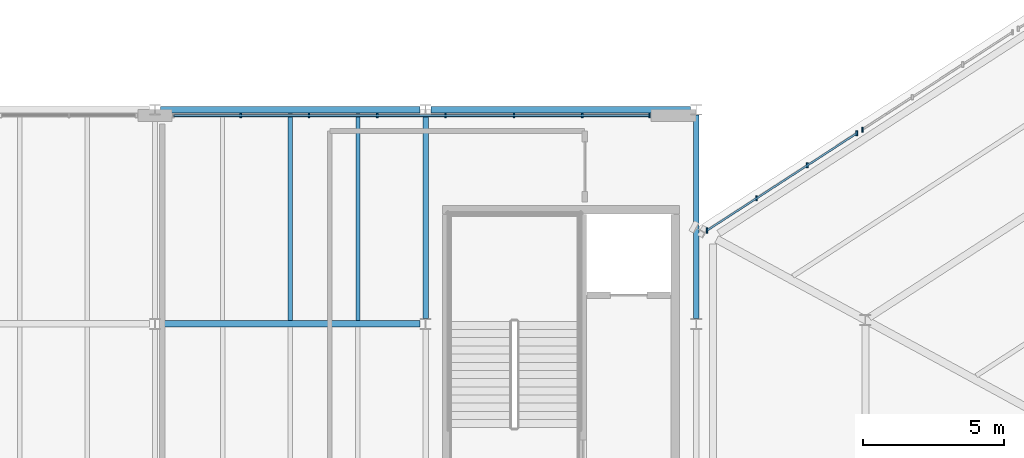
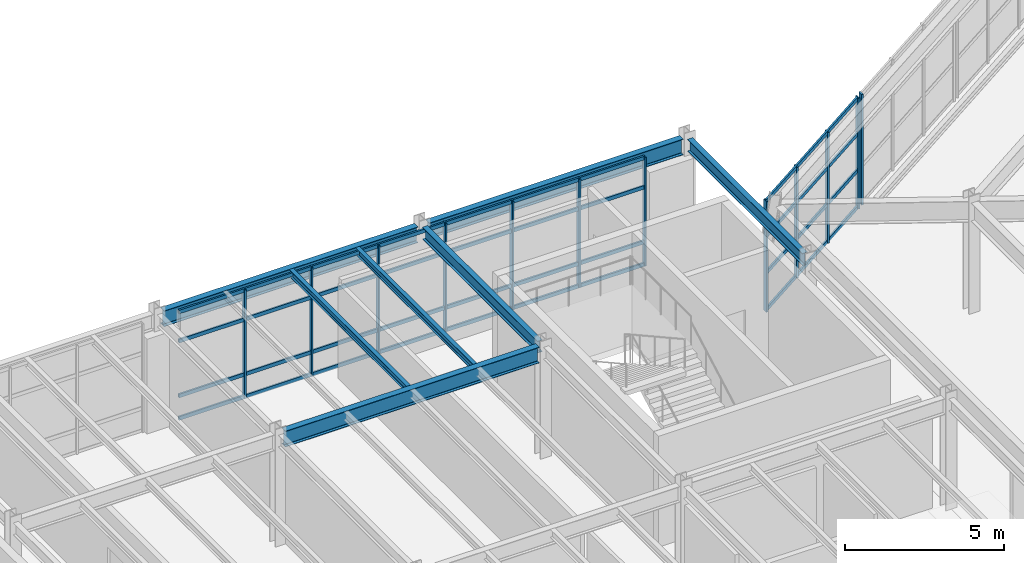
# One storey, part 38 of 77: 20 members, 7 beams, 3 elements without a shape of their own.
"""IFC4 building model written with IfcOpenShell, lengths in metres."""

from ifc_helpers import new_model, si_unit, direction, frame, origin, origin_2d, place, context, subcontext, project, spatial, rectangle, i_section, extrude, material, material_profile, profile_set, type_object, element, aggregate, save


model = new_model("IFC4")

# Units and contexts
model_context = context("Model", 3, precision=1e-05, world=origin(), true_north=direction((0.0, 1.0)))
body_context = subcontext(model_context, "Body", "Model", "MODEL_VIEW")
ifc_project = project(units=[si_unit("LENGTHUNIT", "METRE"), si_unit("AREAUNIT", "SQUARE_METRE"), si_unit("VOLUMEUNIT", "CUBIC_METRE"), si_unit("PLANEANGLEUNIT", "RADIAN"), si_unit("MASSUNIT", "GRAM", prefix="KILO")], contexts=[model_context])

# Site, building, storey
site_placement = place(None, origin())
site = spatial("IfcSite", under=ifc_project, at=site_placement, CompositionType="ELEMENT")
building_placement = place(site_placement, origin())
building = spatial("IfcBuilding", under=site, at=building_placement, Name="Sarnbrook Museum", CompositionType="ELEMENT")
storey_placement = place(building_placement, frame((0.0, 0.0, 5.60009765625)))
storey = spatial("IfcBuildingStorey", under=building, at=storey_placement, Name="L01", CompositionType="ELEMENT", Elevation=5.60009765625)

# Beams
ifc_material_1 = material(Name="Structural Steel Grade 300PLUS (AS/NZS 3679.1, fy = 280 MPa for 17 < t <= 40 mm, 300 MPa for t <= 17 mm)", Category="steel")
ifc_material_profile_1 = material_profile(ifc_material_1, i_section(OverallWidth=0.18994140625, OverallDepth=0.45703125, WebThickness=0.009033203125, FlangeThickness=0.014404296875, FilletRadius=0.011474609375, at=origin_2d()), Name="460UB74.6")
ifc_profile_set_1 = profile_set([ifc_material_profile_1], Name="Structural Steel Grade 300PLUS (AS/NZS 3679.1, fy = 280 MPa for 17 < t <= 40 mm, 300 MPa for t <= 17 mm)")
beam_type_1 = type_object("IfcBeamType", Name="BM-UB460", PredefinedType="BEAM", material=ifc_profile_set_1)
for number, where, z_axis, x_axis, name in (
    (1, (109.60009765625, 100.990966796875, 4.021484375), (0.0, 1.0, 0.0), (-1.0, 0.0, 0.0), "Girder 12:M-N L01"),
    (2, (119.199951171875, 100.990966796875, 4.021484375), (0.0, 1.0, 0.0), (-1.0, 0.0, 0.0), "Girder 13:M-N L01"),
):
    element("IfcBeam", number, at=place(storey_placement, frame(where, z_axis=z_axis, x_axis=x_axis)), inside=storey, type_object=beam_type_1, Name=name, PredefinedType="BEAM", context=body_context, shape_type="SweptSolid", body=[
        extrude(i_section(OverallWidth=0.18994140625, OverallDepth=0.45703125, WebThickness=0.009033203125, FlangeThickness=0.014404296875, FilletRadius=0.011474609375, at=origin_2d()), origin(), (0.0, 0.0, 1.0), 7.218017578125),
    ])
ifc_material_profile_2 = material_profile(ifc_material_1, i_section(OverallWidth=0.22802734375, OverallDepth=0.60693359375, WebThickness=0.01123046875, FlangeThickness=0.017333984375, FilletRadius=0.013916015625, at=origin_2d()), Name="610UB113")
ifc_profile_set_2 = profile_set([ifc_material_profile_2], Name="Structural Steel Grade 300PLUS (AS/NZS 3679.1, fy = 280 MPa for 17 < t <= 40 mm, 300 MPa for t <= 17 mm)")
beam_type_2 = type_object("IfcBeamType", Name="BM-UB610", PredefinedType="BEAM", material=ifc_profile_set_2)
for number, where, z_axis, x_axis, name in (
    (3, (100.199951171875, 100.800048828125, 3.9462890625), (1.0, 0.0, 0.0), (0.0, 1.0, 0.0), "Girder M:11-12 L01"),
    (4, (100.199951171875, 108.39990234375, 3.9462890625), (1.0, 0.0, 0.0), (0.0, 1.0, 0.0), "Girder N:11-12 L01"),
    (5, (109.800048828125, 108.39990234375, 3.9462890625), (1.0, 0.0, 0.0), (0.0, 1.0, 0.0), "Girder N:12-13 L01"),
):
    element("IfcBeam", number, at=place(storey_placement, frame(where, z_axis=z_axis, x_axis=x_axis)), inside=storey, type_object=beam_type_2, Name=name, PredefinedType="BEAM", context=body_context, shape_type="SweptSolid", body=[
        extrude(i_section(OverallWidth=0.22802734375, OverallDepth=0.60693359375, WebThickness=0.01123046875, FlangeThickness=0.017333984375, FilletRadius=0.013916015625, at=origin_2d()), origin(), (0.0, 0.0, 1.0), 9.199951171875),
    ])

# Curtain wall, members
ifc_material_2 = material(Name="Thermally Broken Anodised Aluminium 6063-T6", Category="aluminium")
curtain_wall_type_1 = type_object("IfcCurtainWallType", Name="CurtainWall_GalleryRibbon", PredefinedType="NOTDEFINED", material=ifc_material_2)
curtain_wall_1_placement = place(storey_placement, origin())
curtain_wall_1 = element("IfcCurtainWall", 6, at=curtain_wall_1_placement, inside=storey, type_object=curtain_wall_type_1, Name="Gallery Ribbon Curtain Wall L01-6.1", PredefinedType="NOTDEFINED")
ifc_material_profile_3 = material_profile(ifc_material_2, rectangle(XDim=0.06005859375, YDim=0.159912109375, at=origin_2d()), Name="ALU MULLION 60x160")
ifc_profile_set_3 = profile_set([ifc_material_profile_3], Name="Thermally Broken Anodised Aluminium 6063-T6")
member_type_1 = type_object("IfcMemberType", Name="CW_Mullion_150x65", PredefinedType="MULLION", material=ifc_profile_set_3)
member_1_placement = place(storey_placement, frame((117.5400390625, 108.18994140625, 0.0), z_axis=(0.0, 0.0, 1.0), x_axis=(1.0, 0.0, 0.0)))
member_1 = element("IfcMember", 7, at=member_1_placement, type_object=member_type_1, Name="Gallery Ribbon Curtain Wall L01-6.1 Mullion 1", PredefinedType="MULLION", context=body_context, shape_type="SweptSolid", body=[
    extrude(rectangle(XDim=0.06005859375, YDim=0.159912109375, at=origin_2d()), origin(), (0.0, 0.0, 1.0), 4.159912109375),
])
member_2_placement = place(storey_placement, frame((115.156982421875, 108.18994140625, 0.0), z_axis=(0.0, 0.0, 1.0), x_axis=(1.0, 0.0, 0.0)))
member_2 = element("IfcMember", 8, at=member_2_placement, type_object=member_type_1, Name="Gallery Ribbon Curtain Wall L01-6.1 Mullion 2", PredefinedType="MULLION", context=body_context, shape_type="SweptSolid", body=[
    extrude(rectangle(XDim=0.06005859375, YDim=0.159912109375, at=origin_2d()), origin(), (0.0, 0.0, 1.0), 4.159912109375),
])
member_3_placement = place(storey_placement, frame((112.734375, 108.18994140625, 0.0), z_axis=(0.0, 0.0, 1.0), x_axis=(1.0, 0.0, 0.0)))
member_3 = element("IfcMember", 9, at=member_3_placement, type_object=member_type_1, Name="Gallery Ribbon Curtain Wall L01-6.1 Mullion 3", PredefinedType="MULLION", context=body_context, shape_type="SweptSolid", body=[
    extrude(rectangle(XDim=0.06005859375, YDim=0.159912109375, at=origin_2d()), origin(), (0.0, 0.0, 1.0), 4.159912109375),
])
member_4_placement = place(storey_placement, frame((110.311279296875, 108.18994140625, 0.0), z_axis=(0.0, 0.0, 1.0), x_axis=(1.0, 0.0, 0.0)))
member_4 = element("IfcMember", 10, at=member_4_placement, type_object=member_type_1, Name="Gallery Ribbon Curtain Wall L01-6.1 Mullion 4", PredefinedType="MULLION", context=body_context, shape_type="SweptSolid", body=[
    extrude(rectangle(XDim=0.06005859375, YDim=0.159912109375, at=origin_2d()), origin(), (0.0, 0.0, 1.0), 4.159912109375),
])
member_5_placement = place(storey_placement, frame((107.888671875, 108.18994140625, 0.0), z_axis=(0.0, 0.0, 1.0), x_axis=(1.0, 0.0, 0.0)))
member_5 = element("IfcMember", 11, at=member_5_placement, type_object=member_type_1, Name="Gallery Ribbon Curtain Wall L01-6.1 Mullion 5", PredefinedType="MULLION", context=body_context, shape_type="SweptSolid", body=[
    extrude(rectangle(XDim=0.06005859375, YDim=0.159912109375, at=origin_2d()), origin(), (0.0, 0.0, 1.0), 4.159912109375),
])
member_6_placement = place(storey_placement, frame((105.4658203125, 108.18994140625, 0.0), z_axis=(0.0, 0.0, 1.0), x_axis=(1.0, 0.0, 0.0)))
member_6 = element("IfcMember", 12, at=member_6_placement, type_object=member_type_1, Name="Gallery Ribbon Curtain Wall L01-6.1 Mullion 6", PredefinedType="MULLION", context=body_context, shape_type="SweptSolid", body=[
    extrude(rectangle(XDim=0.06005859375, YDim=0.159912109375, at=origin_2d()), origin(), (0.0, 0.0, 1.0), 4.159912109375),
])
member_7_placement = place(storey_placement, frame((103.04296875, 108.18994140625, 0.0), z_axis=(0.0, 0.0, 1.0), x_axis=(1.0, 0.0, 0.0)))
member_7 = element("IfcMember", 13, at=member_7_placement, type_object=member_type_1, Name="Gallery Ribbon Curtain Wall L01-6.1 Mullion 7", PredefinedType="MULLION", context=body_context, shape_type="SweptSolid", body=[
    extrude(rectangle(XDim=0.06005859375, YDim=0.159912109375, at=origin_2d()), origin(), (0.0, 0.0, 1.0), 4.159912109375),
])

# Curtain wall, member
curtain_wall_type_2 = type_object("IfcCurtainWallType", Name="CurtainWall_CrystalFacet", PredefinedType="NOTDEFINED", material=ifc_material_2)
curtain_wall_2_placement = place(storey_placement, origin())
curtain_wall_2 = element("IfcCurtainWall", 14, at=curtain_wall_2_placement, inside=storey, type_object=curtain_wall_type_2, Name="Crystal Hall Facet Curtain Wall L01-F6.2", PredefinedType="NOTDEFINED")
ifc_material_profile_4 = material_profile(ifc_material_2, rectangle(XDim=0.06494140625, YDim=0.179931640625, at=origin_2d()), Name="ALU MULLION 65x180")
ifc_profile_set_4 = profile_set([ifc_material_profile_4], Name="Thermally Broken Anodised Aluminium 6063-T6")
member_type_2 = type_object("IfcMemberType", Name="CW_Mullion_180x75", PredefinedType="MULLION", material=ifc_profile_set_4)
member_8_placement = place(storey_placement, frame((125.09912109375, 107.69482421875, 0.0), z_axis=(0.0, 0.0, 1.0), x_axis=(1.0, 0.0, 0.0)))
member_8 = element("IfcMember", 15, at=member_8_placement, type_object=member_type_2, Name="Crystal Hall Facet Curtain Wall L01-F6.2 Mullion 4", PredefinedType="MULLION", context=body_context, shape_type="SweptSolid", body=[
    extrude(rectangle(XDim=0.06494140625, YDim=0.179931640625, at=origin_2d()), origin(), (0.0, 0.0, 1.0), 4.239990234375),
])
aggregate(curtain_wall_2, [member_8])

# Curtain wall, members
curtain_wall_3_placement = place(storey_placement, origin())
curtain_wall_3 = element("IfcCurtainWall", 16, at=curtain_wall_3_placement, inside=storey, type_object=curtain_wall_type_2, Name="Crystal Hall Facet Curtain Wall L01-F6.3", PredefinedType="NOTDEFINED")
member_9_placement = place(storey_placement, frame((124.89794921875, 107.564208984375, 0.0), z_axis=(0.0, 0.0, 1.0), x_axis=(1.0, 0.0, 0.0)))
member_9 = element("IfcMember", 17, at=member_9_placement, type_object=member_type_2, Name="Crystal Hall Facet Curtain Wall L01-F6.3 Mullion 1", PredefinedType="MULLION", context=body_context, shape_type="SweptSolid", body=[
    extrude(rectangle(XDim=0.06494140625, YDim=0.179931640625, at=origin_2d()), origin(), (0.0, 0.0, 1.0), 4.239990234375),
])
member_10_placement = place(storey_placement, frame((123.136474609375, 106.42138671875, 0.0), z_axis=(0.0, 0.0, 1.0), x_axis=(1.0, 0.0, 0.0)))
member_10 = element("IfcMember", 18, at=member_10_placement, type_object=member_type_2, Name="Crystal Hall Facet Curtain Wall L01-F6.3 Mullion 2", PredefinedType="MULLION", context=body_context, shape_type="SweptSolid", body=[
    extrude(rectangle(XDim=0.06494140625, YDim=0.179931640625, at=origin_2d()), origin(), (0.0, 0.0, 1.0), 4.239990234375),
])
member_11_placement = place(storey_placement, frame((121.34130859375, 105.256591796875, 0.0), z_axis=(0.0, 0.0, 1.0), x_axis=(1.0, 0.0, 0.0)))
member_11 = element("IfcMember", 19, at=member_11_placement, type_object=member_type_2, Name="Crystal Hall Facet Curtain Wall L01-F6.3 Mullion 3", PredefinedType="MULLION", context=body_context, shape_type="SweptSolid", body=[
    extrude(rectangle(XDim=0.06494140625, YDim=0.179931640625, at=origin_2d()), origin(), (0.0, 0.0, 1.0), 4.239990234375),
])
member_12_placement = place(storey_placement, frame((119.579833984375, 104.11376953125, 0.0), z_axis=(0.0, 0.0, 1.0), x_axis=(1.0, 0.0, 0.0)))
member_12 = element("IfcMember", 20, at=member_12_placement, type_object=member_type_2, Name="Crystal Hall Facet Curtain Wall L01-F6.3 Mullion 4", PredefinedType="MULLION", context=body_context, shape_type="SweptSolid", body=[
    extrude(rectangle(XDim=0.06494140625, YDim=0.179931640625, at=origin_2d()), origin(), (0.0, 0.0, 1.0), 4.239990234375),
])
ifc_material_profile_5 = material_profile(ifc_material_2, rectangle(XDim=0.06494140625, YDim=0.139892578125, at=origin_2d()), Name="ALU TRANSOM 65x140")
ifc_profile_set_5 = profile_set([ifc_material_profile_5], Name="Thermally Broken Anodised Aluminium 6063-T6")
member_type_3 = type_object("IfcMemberType", Name="CW_Transom_150x65", PredefinedType="USERDEFINED", material=ifc_profile_set_5)
member_13_placement = place(storey_placement, frame((124.889404296875, 107.55859375, 0.039794921875), z_axis=(-0.838904075895, -0.544279295441, 0.0), x_axis=(0.544279295441, -0.838904075895, 0.0)))
member_13 = element("IfcMember", 21, at=member_13_placement, type_object=member_type_3, Name="Crystal Hall Facet Curtain Wall L01-F6.3 Transom 1", ObjectType="TRANSOM", PredefinedType="USERDEFINED", context=body_context, shape_type="SweptSolid", body=[
    extrude(rectangle(XDim=0.06494140625, YDim=0.139892578125, at=origin_2d()), origin(), (0.0, 0.0, 1.0), 6.3193359375),
])
member_14_placement = place(storey_placement, frame((124.889404296875, 107.55859375, 1.449951171875), z_axis=(-0.838904075895, -0.544279295441, 0.0), x_axis=(0.544279295441, -0.838904075895, 0.0)))
member_14 = element("IfcMember", 22, at=member_14_placement, type_object=member_type_3, Name="Crystal Hall Facet Curtain Wall L01-F6.3 Transom 2", ObjectType="TRANSOM", PredefinedType="USERDEFINED", context=body_context, shape_type="SweptSolid", body=[
    extrude(rectangle(XDim=0.06494140625, YDim=0.139892578125, at=origin_2d()), origin(), (0.0, 0.0, 1.0), 6.3193359375),
])
member_15_placement = place(storey_placement, frame((124.889404296875, 107.55859375, 2.849853515625), z_axis=(-0.838904075895, -0.544279295441, 0.0), x_axis=(0.544279295441, -0.838904075895, 0.0)))
member_15 = element("IfcMember", 23, at=member_15_placement, type_object=member_type_3, Name="Crystal Hall Facet Curtain Wall L01-F6.3 Transom 3", ObjectType="TRANSOM", PredefinedType="USERDEFINED", context=body_context, shape_type="SweptSolid", body=[
    extrude(rectangle(XDim=0.06494140625, YDim=0.139892578125, at=origin_2d()), origin(), (0.0, 0.0, 1.0), 6.3193359375),
])
member_16_placement = place(storey_placement, frame((124.889404296875, 107.55859375, 4.199951171875), z_axis=(-0.838904075895, -0.544279295441, 0.0), x_axis=(0.544279295441, -0.838904075895, 0.0)))
member_16 = element("IfcMember", 24, at=member_16_placement, type_object=member_type_3, Name="Crystal Hall Facet Curtain Wall L01-F6.3 Transom 4", ObjectType="TRANSOM", PredefinedType="USERDEFINED", context=body_context, shape_type="SweptSolid", body=[
    extrude(rectangle(XDim=0.06494140625, YDim=0.139892578125, at=origin_2d()), origin(), (0.0, 0.0, 1.0), 6.3193359375),
])
aggregate(curtain_wall_3, [member_9, member_10, member_11, member_12, member_13, member_14, member_15, member_16])

# Member
member_17_placement = place(storey_placement, frame((117.530029296875, 108.18994140625, 0.039794921875), z_axis=(-1.0, 0.0, 0.0), x_axis=(0.0, -1.0, 0.0)))
member_17 = element("IfcMember", 25, at=member_17_placement, type_object=member_type_3, Name="Gallery Ribbon Curtain Wall L01-6.1 Transom 1", ObjectType="TRANSOM", PredefinedType="USERDEFINED", context=body_context, shape_type="SweptSolid", body=[
    extrude(rectangle(XDim=0.06494140625, YDim=0.139892578125, at=origin_2d()), origin(), (0.0, 0.0, 1.0), 16.860107421875),
])

member_18_placement = place(storey_placement, frame((117.530029296875, 108.18994140625, 0.89990234375), z_axis=(-1.0, 0.0, 0.0), x_axis=(0.0, -1.0, 0.0)))
member_18 = element("IfcMember", 26, at=member_18_placement, type_object=member_type_3, Name="Gallery Ribbon Curtain Wall L01-6.1 Transom 2", ObjectType="TRANSOM", PredefinedType="USERDEFINED", context=body_context, shape_type="SweptSolid", body=[
    extrude(rectangle(XDim=0.06494140625, YDim=0.139892578125, at=origin_2d()), origin(), (0.0, 0.0, 1.0), 16.860107421875),
])

member_19_placement = place(storey_placement, frame((117.530029296875, 108.18994140625, 3.0), z_axis=(-1.0, 0.0, 0.0), x_axis=(0.0, -1.0, 0.0)))
member_19 = element("IfcMember", 27, at=member_19_placement, type_object=member_type_3, Name="Gallery Ribbon Curtain Wall L01-6.1 Transom 3", ObjectType="TRANSOM", PredefinedType="USERDEFINED", context=body_context, shape_type="SweptSolid", body=[
    extrude(rectangle(XDim=0.06494140625, YDim=0.139892578125, at=origin_2d()), origin(), (0.0, 0.0, 1.0), 16.860107421875),
])

member_20_placement = place(storey_placement, frame((117.530029296875, 108.18994140625, 4.119873046875), z_axis=(-1.0, 0.0, 0.0), x_axis=(0.0, -1.0, 0.0)))
member_20 = element("IfcMember", 28, at=member_20_placement, type_object=member_type_3, Name="Gallery Ribbon Curtain Wall L01-6.1 Transom 4", ObjectType="TRANSOM", PredefinedType="USERDEFINED", context=body_context, shape_type="SweptSolid", body=[
    extrude(rectangle(XDim=0.06494140625, YDim=0.139892578125, at=origin_2d()), origin(), (0.0, 0.0, 1.0), 16.860107421875),
])

aggregate(curtain_wall_1, [member_1, member_2, member_3, member_4, member_5, member_6, member_7, member_17, member_18, member_19, member_20])

# Beams
ifc_material_profile_6 = material_profile(ifc_material_1, i_section(OverallWidth=0.14599609375, OverallDepth=0.256103515625, WebThickness=0.00634765625, FlangeThickness=0.010986328125, FilletRadius=0.0087890625, at=origin_2d()), Name="250UB37.3")
ifc_profile_set_6 = profile_set([ifc_material_profile_6], Name="Structural Steel Grade 300PLUS (AS/NZS 3679.1, fy = 280 MPa for 17 < t <= 40 mm, 300 MPa for t <= 17 mm)")
beam_type_3 = type_object("IfcBeamType", Name="JS-UB250", PredefinedType="JOIST", material=ifc_profile_set_6)
for number, where, z_axis, x_axis, name in (
    (29, (104.800048828125, 100.9140625, 4.121826171875), (0.0, 1.0, 0.0), (-1.0, 0.0, 0.0), "Composite Floor Joist 11M-2 L01"),
    (30, (107.199951171875, 100.9140625, 4.121826171875), (0.0, 1.0, 0.0), (-1.0, 0.0, 0.0), "Composite Floor Joist 11M-3 L01"),
):
    element("IfcBeam", number, at=place(storey_placement, frame(where, z_axis=z_axis, x_axis=x_axis)), inside=storey, type_object=beam_type_3, Name=name, PredefinedType="JOIST", context=body_context, shape_type="SweptSolid", body=[
        extrude(i_section(OverallWidth=0.14599609375, OverallDepth=0.256103515625, WebThickness=0.00634765625, FlangeThickness=0.010986328125, FilletRadius=0.0087890625, at=origin_2d()), origin(), (0.0, 0.0, 1.0), 7.371826171875),
    ])

save(model, "model.ifc")
